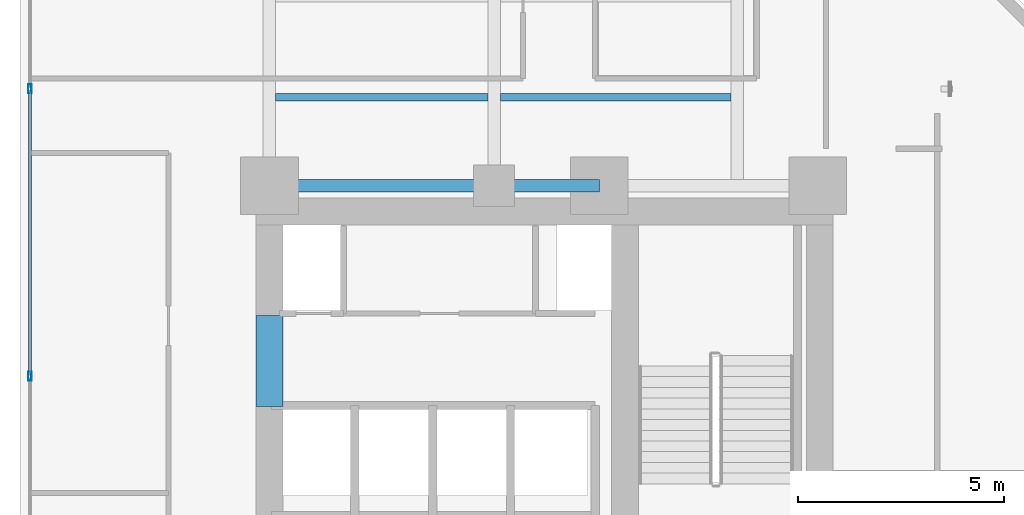
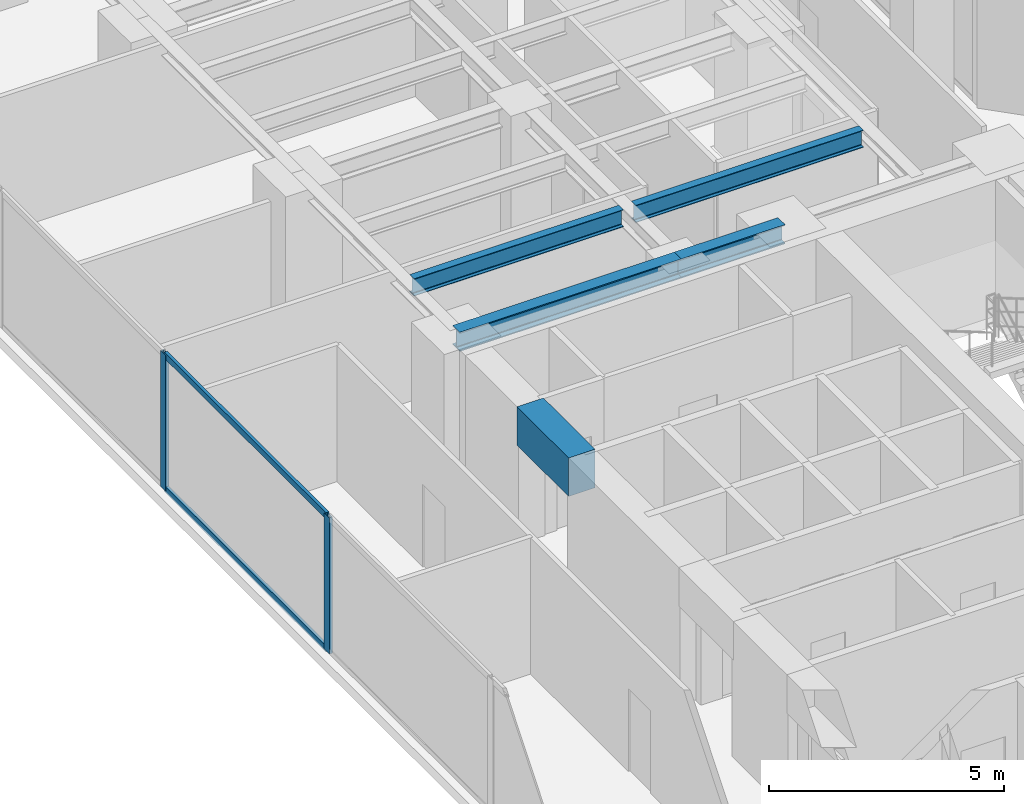
# One storey, part 6 of 26: 5 beams, 4 members, 1 element without a shape of its own.
"""IFC4 building model written with IfcOpenShell, lengths in metres."""

import ifcopenshell
import ifcopenshell.guid

model = None  # the IFC model being written
_history = None  # IfcOwnerHistory: only IFC2X3 demands one
_inside = {}  # id of a spatial element -> (the spatial element, [elements in it])
_under = {}  # id of a project, library or spatial element -> (it, [spatial elements below it])
_declared = {}  # id of a project -> (the project, [libraries it declares])
_typed = {}  # id of a type object -> (the type object, [elements of that type])
_made_of = {}  # id of a material, layer set ... -> (it, [elements and type objects made of it])


def new_model(schema):
    """Start an empty IFC model of exactly this schema.

    Asked for "IFC4X3", IfcOpenShell would pick the latest addendum, in which some entities
    have other attributes; the version numbers below select the first issue.
    IFC2X3 requires an IfcOwnerHistory on every rooted entity: one is made here for all.
    """
    global model, _history
    if schema == "IFC4X3":
        model = ifcopenshell.file(schema_version=(4, 3, 0, 0))
    else:
        model = ifcopenshell.file(schema=schema)
    _inside.clear()
    _under.clear()
    _declared.clear()
    _typed.clear()
    _made_of.clear()
    _history = None
    if model.schema == "IFC2X3":
        org = make("IfcOrganization", Name="unknown")
        user = make(
            "IfcPersonAndOrganization",
            ThePerson=make("IfcPerson", FamilyName="unknown"),
            TheOrganization=org,
        )
        app = make(
            "IfcApplication",
            ApplicationDeveloper=org,
            Version="unknown",
            ApplicationFullName="unknown",
            ApplicationIdentifier="unknown",
        )
        _history = make(
            "IfcOwnerHistory",
            OwningUser=user,
            OwningApplication=app,
            ChangeAction="ADDED",
            CreationDate=0,
        )
    return model


def make(cls, **values):
    """One entity of the class cls with the attributes given. An attribute that is None is left unset."""
    return model.create_entity(
        cls, **{name: value for name, value in values.items() if value is not None}
    )


def rooted(cls, **values):
    """An entity with a GlobalId (a new one), such as an element, a storey or a relation."""
    return make(cls, GlobalId=ifcopenshell.guid.new(), OwnerHistory=_history, **values)


def si_unit(unit_type, name, prefix=None):
    """IfcSIUnit, for example si_unit("LENGTHUNIT", "METRE", prefix="MILLI")."""
    return make("IfcSIUnit", UnitType=unit_type, Prefix=prefix, Name=name)


def assignment(units):
    """IfcUnitAssignment: the units of a project."""
    return None if units is None else make("IfcUnitAssignment", Units=units)


def point(xyz):
    """IfcCartesianPoint."""
    return None if xyz is None else make("IfcCartesianPoint", Coordinates=xyz)


def direction(xyz):
    """IfcDirection."""
    return None if xyz is None else make("IfcDirection", DirectionRatios=xyz)


def frame(location, z_axis=None, x_axis=None):
    """IfcAxis2Placement3D, a coordinate frame: its origin and axes. An axis left out is left unset."""
    return make(
        "IfcAxis2Placement3D",
        Location=point(location),
        Axis=direction(z_axis),
        RefDirection=direction(x_axis),
    )


def frame_2d(location, x_axis=None):
    """IfcAxis2Placement2D, a coordinate frame in the plane: its origin and x axis."""
    return make(
        "IfcAxis2Placement2D", Location=point(location), RefDirection=direction(x_axis)
    )


def origin():
    """The frame at (0, 0, 0) with its axes left unset."""
    return frame((0.0, 0.0, 0.0))


def origin_with_axes():
    """The frame at (0, 0, 0) with the z axis (0, 0, 1) and the x axis (1, 0, 0) written out."""
    return frame((0.0, 0.0, 0.0), z_axis=(0.0, 0.0, 1.0), x_axis=(1.0, 0.0, 0.0))


def origin_2d():
    """The frame at (0, 0) in the plane with its x axis left unset."""
    return frame_2d((0.0, 0.0))


def place(relative_to, where):
    """IfcLocalPlacement: puts the frame where relative to a parent placement (None: the world)."""
    return make(
        "IfcLocalPlacement", PlacementRelTo=relative_to, RelativePlacement=where
    )


def context(
    kind, dimensions, precision=None, world=None, true_north=None, identifier=None
):
    """IfcGeometricRepresentationContext, for example the 3D "Model" context."""
    return make(
        "IfcGeometricRepresentationContext",
        ContextIdentifier=identifier,
        ContextType=kind,
        CoordinateSpaceDimension=dimensions,
        Precision=precision,
        WorldCoordinateSystem=world,
        TrueNorth=true_north,
    )


def subcontext(parent, identifier, kind, view, scale=None):
    """IfcGeometricRepresentationSubContext, for example "Body" below "Model"."""
    return make(
        "IfcGeometricRepresentationSubContext",
        ContextIdentifier=identifier,
        ContextType=kind,
        ParentContext=parent,
        TargetScale=scale,
        TargetView=view,
    )


def project(units=None, contexts=None):
    """IfcProject with its units and contexts."""
    return rooted(
        "IfcProject",
        Name="project",
        RepresentationContexts=contexts,
        UnitsInContext=assignment(units),
    )


def spatial(cls, under=None, at=None, **own):
    """A site, building, storey or space (cls), placed at a placement, below another one or the project."""
    s = rooted(cls, ObjectPlacement=at, **own)
    if under is not None:
        _under.setdefault(under.id(), (under, []))[1].append(s)
    return s


def profile(cls, at=None, kind="AREA", **sizes):
    """A parametric profile (cls). Its sizes go by their IFC names, for example OverallWidth=200.0."""
    return make(cls, ProfileType=kind, Position=at, **sizes)


def rectangle(**sizes):
    """IfcRectangleProfileDef."""
    return profile("IfcRectangleProfileDef", **sizes)


def hollow_rectangle(**sizes):
    """IfcRectangleHollowProfileDef."""
    return profile("IfcRectangleHollowProfileDef", **sizes)


def i_section(**sizes):
    """IfcIShapeProfileDef."""
    return profile("IfcIShapeProfileDef", **sizes)


def extrude(swept, where, along, depth):
    """IfcExtrudedAreaSolid: the profile swept, set in the frame where, extruded along a direction by depth."""
    return make(
        "IfcExtrudedAreaSolid",
        SweptArea=swept,
        Position=where,
        ExtrudedDirection=direction(along),
        Depth=depth,
    )


def shape(context_of_items, identifier, shape_type, items):
    """IfcShapeRepresentation: the items that make up one representation, for example the "Body"."""
    return make(
        "IfcShapeRepresentation",
        ContextOfItems=context_of_items,
        RepresentationIdentifier=identifier,
        RepresentationType=shape_type,
        Items=items,
    )


def source(mapping_origin, context_of_items, identifier, shape_type, items):
    """IfcRepresentationMap: a shape defined once, which mapped items show again and again."""
    return make(
        "IfcRepresentationMap",
        MappingOrigin=mapping_origin,
        MappedRepresentation=shape(context_of_items, identifier, shape_type, items),
    )


def transform(
    local_origin,
    x_axis=None,
    y_axis=None,
    z_axis=None,
    scale=None,
    scale2=None,
    scale3=None,
    uniform=True,
):
    """IfcCartesianTransformationOperator3D, or its non-uniform kind. x_axis, y_axis, z_axis: its Axis1, 2, 3."""
    if uniform:
        return make(
            "IfcCartesianTransformationOperator3D",
            Axis1=direction(x_axis),
            Axis2=direction(y_axis),
            LocalOrigin=point(local_origin),
            Scale=scale,
            Axis3=direction(z_axis),
        )
    return make(
        "IfcCartesianTransformationOperator3DnonUniform",
        Axis1=direction(x_axis),
        Axis2=direction(y_axis),
        LocalOrigin=point(local_origin),
        Scale=scale,
        Axis3=direction(z_axis),
        Scale2=scale2,
        Scale3=scale3,
    )


def mapped(mapping_source, mapping_target):
    """IfcMappedItem: shows the shape of a source again, moved by a transform."""
    return make(
        "IfcMappedItem", MappingSource=mapping_source, MappingTarget=mapping_target
    )


def material(Name=None, Category=None):
    """IfcMaterial."""
    return make("IfcMaterial", Name=Name, Category=Category)


def layer(
    of_material, thickness, ventilated=None, Name=None, Category=None, Priority=None
):
    """IfcMaterialLayer: one layer of a wall or slab, of a material (None: an air gap)."""
    return make(
        "IfcMaterialLayer",
        Material=of_material,
        LayerThickness=thickness,
        IsVentilated=ventilated,
        Name=Name,
        Category=Category,
        Priority=Priority,
    )


def layer_set(layers, Name=None):
    """IfcMaterialLayerSet."""
    return make("IfcMaterialLayerSet", MaterialLayers=layers, LayerSetName=Name)


def material_profile(
    of_material, cross_section, Name=None, Category=None, Priority=None
):
    """IfcMaterialProfile: a cross section and its material."""
    return make(
        "IfcMaterialProfile",
        Name=Name,
        Material=of_material,
        Profile=cross_section,
        Priority=Priority,
        Category=Category,
    )


def profile_set(profiles, Name=None, composite=None):
    """IfcMaterialProfileSet."""
    return make(
        "IfcMaterialProfileSet",
        Name=Name,
        MaterialProfiles=profiles,
        CompositeProfile=composite,
    )


def made_of(thing, what):
    """Note that an element or type object is made of a material, layer set ...; save() writes the relation."""
    if what is not None:
        _made_of.setdefault(what.id(), (what, []))[1].append(thing)
    return thing


def type_object(cls, material=None, **own):
    """A type object (cls), such as IfcWallType, which elements share."""
    return made_of(rooted(cls, **own), material)


def element(
    cls,
    number,
    at=None,
    inside=None,
    cuts=None,
    type_object=None,
    material=None,
    context=None,
    identifier="Body",
    shape_type=None,
    held_by="IfcProductDefinitionShape",
    body=None,
    shapes=None,
    **own,
):
    """One element of the class cls, such as IfcWall. Its Tag is "e" and its number.

    at: its placement. inside: the storey or other place that contains it. cuts: it is an
    opening in that element (IfcRelVoidsElement). A single representation is given by context,
    identifier, shape_type and body (its items); several are given by shapes. held_by: the class
    of the entity that holds the representations. save() writes the other relations.
    """
    e = rooted(cls, Tag="e%d" % number, ObjectPlacement=at, **own)
    if body is not None:
        shapes = [shape(context, identifier, shape_type, body)]
    if shapes is not None:
        e.Representation = make(held_by, Representations=shapes)
    if inside is not None:
        _inside.setdefault(inside.id(), (inside, []))[1].append(e)
    if cuts is not None:
        rooted(
            "IfcRelVoidsElement", RelatingBuildingElement=cuts, RelatedOpeningElement=e
        )
    if type_object is not None:
        _typed.setdefault(type_object.id(), (type_object, []))[1].append(e)
    return made_of(e, material)


def aggregate(whole, parts):
    """IfcRelAggregates: a whole, such as a stair, and the parts it consists of."""
    return rooted("IfcRelAggregates", RelatingObject=whole, RelatedObjects=parts)


def save(model, path):
    """Write the relations noted so far, then the file.

    IfcRelAggregates (storeys below a building ...), IfcRelContainedInSpatialStructure (elements
    in a storey), IfcRelDefinesByType, IfcRelAssociatesMaterial and IfcRelDeclares: one each for
    every whole, place, type object, material and project.
    """
    for whole, parts in _under.values():
        aggregate(whole, parts)
    for where, things in _inside.values():
        rooted(
            "IfcRelContainedInSpatialStructure",
            RelatedElements=things,
            RelatingStructure=where,
        )
    for kind, things in _typed.values():
        rooted("IfcRelDefinesByType", RelatedObjects=things, RelatingType=kind)
    for what, things in _made_of.values():
        rooted("IfcRelAssociatesMaterial", RelatedObjects=things, RelatingMaterial=what)
    for by, libraries in _declared.values():
        rooted("IfcRelDeclares", RelatingContext=by, RelatedDefinitions=libraries)
    model.write(path)


model = new_model("IFC4")

# Units and contexts
model_context = context("Model", 3, precision=1e-05, world=origin(), true_north=direction((0.0, 1.0)))
body_context = subcontext(model_context, "Body", "Model", "MODEL_VIEW")
ifc_project = project(units=[si_unit("LENGTHUNIT", "METRE"), si_unit("AREAUNIT", "SQUARE_METRE"), si_unit("VOLUMEUNIT", "CUBIC_METRE"), si_unit("PLANEANGLEUNIT", "RADIAN"), si_unit("MASSUNIT", "GRAM", prefix="KILO")], contexts=[model_context])

# Site, building, storey
site_placement = place(None, origin())
site = spatial("IfcSite", under=ifc_project, at=site_placement, CompositionType="ELEMENT")
building_placement = place(site_placement, origin())
building = spatial("IfcBuilding", under=site, at=building_placement, Name="Kolvaren Waterfront Exchange", CompositionType="ELEMENT")
storey_placement = place(building_placement, frame((0.0, 0.0, 122.10009765625)))
storey = spatial("IfcBuildingStorey", under=building, at=storey_placement, Name="L31", CompositionType="ELEMENT", Elevation=122.10009765625)

# Beams
ifc_material_1 = material(Name="Steel S355", Category="steel")
ifc_material_profile_1 = material_profile(ifc_material_1, i_section(OverallWidth=0.300048828125, OverallDepth=0.5, WebThickness=0.014404296875, FlangeThickness=0.028076171875, FilletRadius=0.027099609375, at=origin_2d()), Name="HEB500")
ifc_profile_set_1 = profile_set([ifc_material_profile_1], Name="Steel S355")
beam_type_1 = type_object("IfcBeamType", Name="STR-BM-HEB500", PredefinedType="BEAM", material=ifc_profile_set_1)
beam_1_placement = place(storey_placement, frame((7.449951171875, 24.449951171875, 3.289794921875), z_axis=(1.0, 0.0, 0.0), x_axis=(0.0, 1.0, 0.0)))
element("IfcBeam", 1, at=beam_1_placement, inside=storey, type_object=beam_type_1, Name="L31 north-arm girder 1A", PredefinedType="BEAM", context=body_context, shape_type="SweptSolid", body=[
    extrude(i_section(OverallWidth=0.300048828125, OverallDepth=0.5, WebThickness=0.014404296875, FlangeThickness=0.028076171875, FilletRadius=0.027099609375, at=origin_2d()), origin(), (0.0, 0.0, 1.0), 5.449951171875),
])
beam_2_placement = place(storey_placement, frame((12.89990234375, 24.449951171875, 3.289794921875), z_axis=(1.0, 0.0, 0.0), x_axis=(0.0, 1.0, 0.0)))
element("IfcBeam", 2, at=beam_2_placement, inside=storey, type_object=beam_type_1, Name="L31 north-arm girder 1B", PredefinedType="BEAM", context=body_context, shape_type="SweptSolid", body=[
    extrude(i_section(OverallWidth=0.300048828125, OverallDepth=0.5, WebThickness=0.014404296875, FlangeThickness=0.028076171875, FilletRadius=0.027099609375, at=origin_2d()), origin(), (0.0, 0.0, 1.0), 2.550048828125),
])
ifc_material_profile_2 = material_profile(ifc_material_1, i_section(OverallWidth=0.18994140625, OverallDepth=0.449951171875, WebThickness=0.009521484375, FlangeThickness=0.0146484375, FilletRadius=0.02099609375, at=origin_2d()), Name="IPE450")
ifc_profile_set_2 = profile_set([ifc_material_profile_2], Name="Steel S355")
beam_type_2 = type_object("IfcBeamType", Name="STR-BM-IPE450", PredefinedType="JOIST", material=ifc_profile_set_2)
beam_3_placement = place(storey_placement, frame((7.60205078125, 26.60009765625, 3.31494140625), z_axis=(1.0, 0.0, 0.0), x_axis=(0.0, 1.0, 0.0)))
element("IfcBeam", 3, at=beam_3_placement, inside=storey, type_object=beam_type_2, Name="L31 north-arm composite joist 1A", PredefinedType="JOIST", context=body_context, shape_type="SweptSolid", body=[
    extrude(i_section(OverallWidth=0.18994140625, OverallDepth=0.449951171875, WebThickness=0.009521484375, FlangeThickness=0.0146484375, FilletRadius=0.02099609375, at=origin_2d()), origin(), (0.0, 0.0, 1.0), 5.14599609375),
])
beam_4_placement = place(storey_placement, frame((13.052001953125, 26.60009765625, 3.31494140625), z_axis=(1.0, 0.0, 0.0), x_axis=(0.0, 1.0, 0.0)))
element("IfcBeam", 4, at=beam_4_placement, inside=storey, type_object=beam_type_2, Name="L31 north-arm composite joist 1B", PredefinedType="JOIST", context=body_context, shape_type="SweptSolid", body=[
    extrude(i_section(OverallWidth=0.18994140625, OverallDepth=0.449951171875, WebThickness=0.009521484375, FlangeThickness=0.0146484375, FilletRadius=0.02099609375, at=origin_2d()), origin(), (0.0, 0.0, 1.0), 5.595947265625),
])
ifc_material_2 = material(Name="Concrete C60/75", Category="concrete")
ifc_material_profile_3 = material_profile(ifc_material_2, rectangle(XDim=0.64990234375, YDim=1.0, at=origin_2d()), Name="RC-CB-1000x650")
ifc_profile_set_3 = profile_set([ifc_material_profile_3], Name="Concrete C60/75")
beam_type_3 = type_object("IfcBeamType", Name="STR-CB-1000", PredefinedType="SPANDREL", material=ifc_profile_set_3)
beam_5_placement = place(storey_placement, frame((7.449951171875, 19.10009765625, 3.039794921875), z_axis=(0.0, 1.0, 0.0), x_axis=(-1.0, 0.0, 0.0)))
element("IfcBeam", 5, at=beam_5_placement, inside=storey, type_object=beam_type_3, Name="L31 core coupling beam 5", PredefinedType="SPANDREL", context=body_context, shape_type="SweptSolid", body=[
    extrude(rectangle(XDim=0.64990234375, YDim=1.0, at=origin_2d()), origin(), (0.0, 0.0, 1.0), 2.199951171875),
])

# Curtain wall, members
ifc_material_3 = material(Name="Anodised aluminium 6063-T6", Category="aluminium")
ifc_layer = layer(ifc_material_3, 0.219970703125, Name="Anodised aluminium 6063-T6")
ifc_layer_set = layer_set([ifc_layer], Name="Anodised aluminium 6063-T6")
curtain_wall_type = type_object("IfcCurtainWallType", Name="ARC-CW-SYS2", PredefinedType="USERDEFINED", material=ifc_layer_set)
curtain_wall_placement = place(storey_placement, origin())
curtain_wall = element("IfcCurtainWall", 6, at=curtain_wall_placement, inside=storey, type_object=curtain_wall_type, Name="L31 stick curtain wall CW2 (CW-L31-W)", ObjectType="STICK CURTAIN WALL", PredefinedType="USERDEFINED")
ifc_material_profile_4 = material_profile(ifc_material_3, hollow_rectangle(XDim=0.080078125, YDim=0.219970703125, WallThickness=0.0048828125, at=origin_2d()), Name="ALU-MUL-220x80x5")
ifc_profile_set_4 = profile_set([ifc_material_profile_4], Name="Anodised aluminium 6063-T6")
member_type_1 = type_object("IfcMemberType", Name="ARC-CWM-220", PredefinedType="MULLION", material=ifc_profile_set_4)
shared_shape_1 = source(origin_with_axes(), body_context, "Body", "SweptSolid", [
    extrude(hollow_rectangle(XDim=0.080078125, YDim=0.219970703125, WallThickness=0.0048828125, at=origin_2d()), origin(), (0.0, 0.0, 1.0), 3.539794921875),
])
member_1_placement = place(storey_placement, frame((1.639892578125, 19.833251953125, 0.0), z_axis=(0.0, 0.0, 1.0), x_axis=(-1.0, 0.0, 0.0)))
member_1 = element("IfcMember", 7, at=member_1_placement, type_object=member_type_1, Name="CW2 mullion 3", PredefinedType="MULLION", context=body_context, shape_type="MappedRepresentation", body=[
    mapped(shared_shape_1, transform((0.0, 0.0, 0.0), x_axis=(1.0, 0.0, 0.0), y_axis=(0.0, 1.0, 0.0), z_axis=(0.0, 0.0, 1.0), scale=1.0)),
])
member_2_placement = place(storey_placement, frame((1.639892578125, 26.800048828125, 0.0), z_axis=(0.0, 0.0, 1.0), x_axis=(-1.0, 0.0, 0.0)))
member_2 = element("IfcMember", 8, at=member_2_placement, type_object=member_type_1, Name="CW2 mullion 4", PredefinedType="MULLION", context=body_context, shape_type="MappedRepresentation", body=[
    mapped(shared_shape_1, transform((0.0, 0.0, 0.0), x_axis=(1.0, 0.0, 0.0), y_axis=(0.0, 1.0, 0.0), z_axis=(0.0, 0.0, 1.0), scale=1.0)),
])
ifc_material_profile_5 = material_profile(ifc_material_3, hollow_rectangle(XDim=0.074951171875, YDim=0.159912109375, WallThickness=0.00439453125, at=origin_2d()), Name="ALU-TRN-160x75x4.5")
ifc_profile_set_5 = profile_set([ifc_material_profile_5], Name="Anodised aluminium 6063-T6")
member_type_2 = type_object("IfcMemberType", Name="ARC-CWT-160", PredefinedType="USERDEFINED", material=ifc_profile_set_5)
shared_shape_2 = source(origin_with_axes(), body_context, "Body", "SweptSolid", [
    extrude(hollow_rectangle(XDim=0.074951171875, YDim=0.159912109375, WallThickness=0.00439453125, at=origin_2d()), origin(), (0.0, 0.0, 1.0), 6.88671875),
])
member_3_placement = place(storey_placement, frame((1.639892578125, 19.873291015625, 0.037353515625), z_axis=(0.0, 1.0, 0.0), x_axis=(-1.0, 0.0, 0.0)))
member_3 = element("IfcMember", 9, at=member_3_placement, type_object=member_type_2, Name="CW2 transom 3.1", ObjectType="TRANSOM", PredefinedType="USERDEFINED", context=body_context, shape_type="MappedRepresentation", body=[
    mapped(shared_shape_2, transform((0.0, 0.0, 0.0), x_axis=(1.0, 0.0, 0.0), y_axis=(0.0, 1.0, 0.0), z_axis=(0.0, 0.0, 1.0), scale=1.0)),
])
member_4_placement = place(storey_placement, frame((1.639892578125, 19.873291015625, 3.50244140625), z_axis=(0.0, 1.0, 0.0), x_axis=(-1.0, 0.0, 0.0)))
member_4 = element("IfcMember", 10, at=member_4_placement, type_object=member_type_2, Name="CW2 transom 3.2", ObjectType="TRANSOM", PredefinedType="USERDEFINED", context=body_context, shape_type="MappedRepresentation", body=[
    mapped(shared_shape_2, transform((0.0, 0.0, 0.0), x_axis=(1.0, 0.0, 0.0), y_axis=(0.0, 1.0, 0.0), z_axis=(0.0, 0.0, 1.0), scale=1.0)),
])
aggregate(curtain_wall, [member_1, member_2, member_3, member_4])

save(model, "model.ifc")
